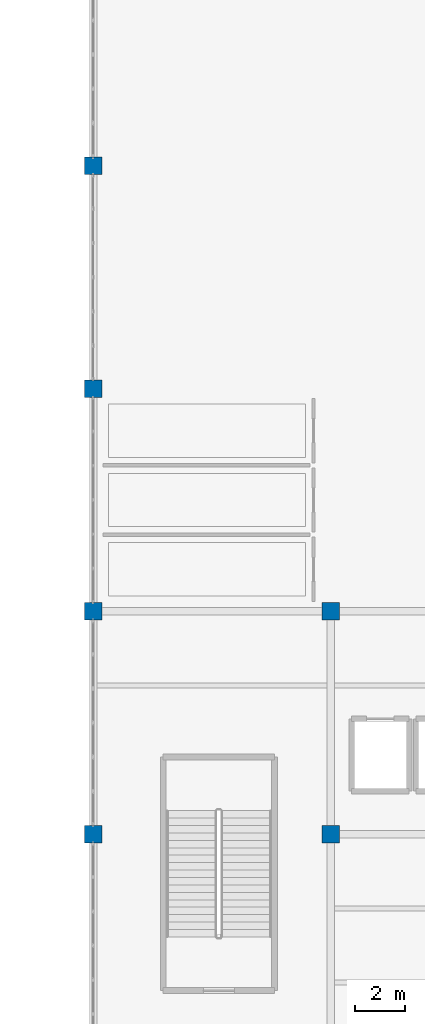
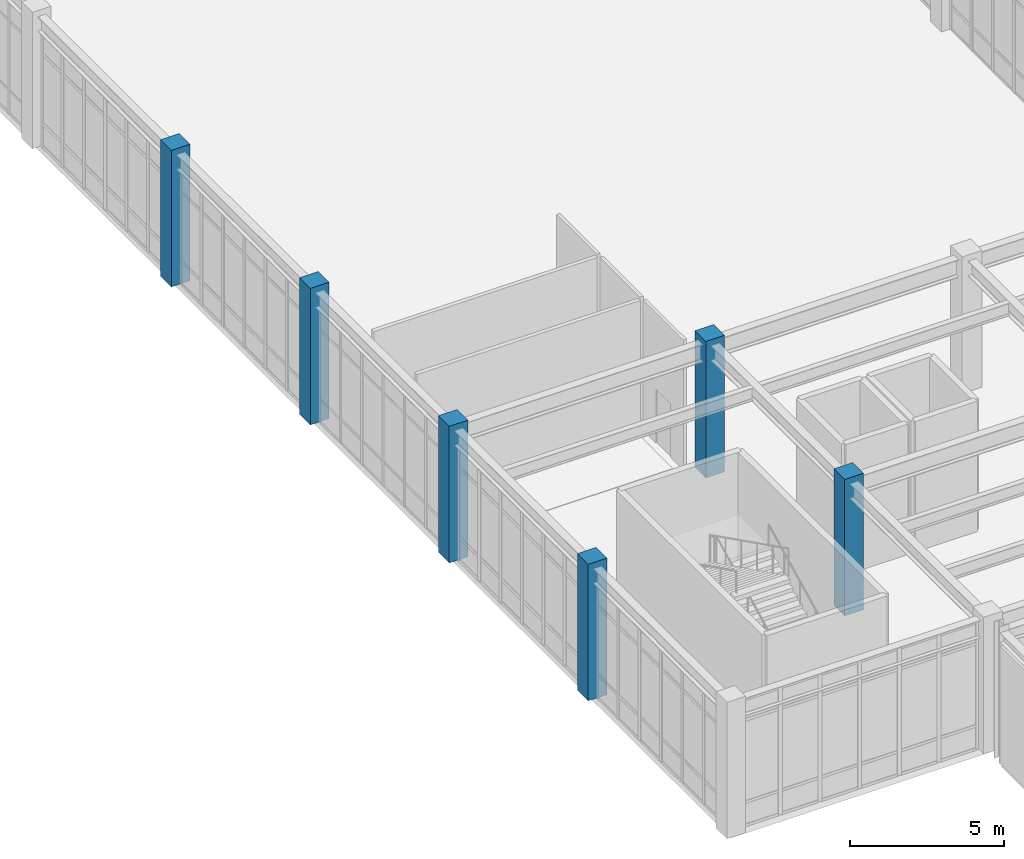
# One storey, part 2 of 80: 6 columns.
"""IFC4 building model written with IfcOpenShell, lengths in metres."""

from ifc_helpers import new_model, si_unit, direction, frame, origin, origin_2d, place, context, subcontext, project, spatial, rectangle, extrude, material, material_profile, profile_set, type_object, element, save


model = new_model("IFC4")

# Units and contexts
model_context = context("Model", 3, precision=1e-05, world=origin(), true_north=direction((0.0, 1.0)))
body_context = subcontext(model_context, "Body", "Model", "MODEL_VIEW")
ifc_project = project(units=[si_unit("LENGTHUNIT", "METRE"), si_unit("AREAUNIT", "SQUARE_METRE"), si_unit("VOLUMEUNIT", "CUBIC_METRE"), si_unit("PLANEANGLEUNIT", "RADIAN"), si_unit("MASSUNIT", "GRAM", prefix="KILO")], contexts=[model_context])

# Site, building, storey
site_placement = place(None, origin())
site = spatial("IfcSite", under=ifc_project, at=site_placement, CompositionType="ELEMENT")
building_placement = place(site_placement, origin())
building = spatial("IfcBuilding", under=site, at=building_placement, Name="Canglan Escarpment Cableway Terminal", CompositionType="ELEMENT")
storey_placement = place(building_placement, frame((0.0, 0.0, 19.199951171875)))
storey = spatial("IfcBuildingStorey", under=building, at=storey_placement, Name="L04", CompositionType="ELEMENT", Elevation=19.199951171875)

# Columns
ifc_material = material(Name="Concrete C40", Category="concrete")
ifc_material_profile = material_profile(ifc_material, rectangle(XDim=0.699951171875, YDim=0.699951171875, at=origin_2d()), Name="RC 700x700")
ifc_profile_set = profile_set([ifc_material_profile], Name="Concrete C40")
column_type = type_object("IfcColumnType", Name="COL-RC700-C40", PredefinedType="COLUMN", material=ifc_profile_set)
for number, where, z_axis, x_axis, name in (
    (1, (137.60009765625, 43.0, 0.0), (0.0, 0.0, 1.0), (1.0, 0.0, 0.0), "Structural column C-04"),
    (2, (137.60009765625, 52.0, 0.0), (0.0, 0.0, 1.0), (1.0, 0.0, 0.0), "Structural column C-04"),
    (3, (137.60009765625, 61.0, 0.0), (0.0, 0.0, 1.0), (1.0, 0.0, 0.0), "Structural column C-04"),
    (4, (137.60009765625, 70.0, 0.0), (0.0, 0.0, 1.0), (1.0, 0.0, 0.0), "Structural column C-04"),
    (5, (147.199951171875, 43.0, 0.0), (0.0, 0.0, 1.0), (1.0, 0.0, 0.0), "Structural column C-04"),
    (6, (147.199951171875, 52.0, 0.0), (0.0, 0.0, 1.0), (1.0, 0.0, 0.0), "Structural column C-04"),
):
    element("IfcColumn", number, at=place(storey_placement, frame(where, z_axis=z_axis, x_axis=x_axis)), inside=storey, type_object=column_type, Name=name, PredefinedType="COLUMN", context=body_context, shape_type="SweptSolid", body=[
        extrude(rectangle(XDim=0.699951171875, YDim=0.699951171875, at=origin_2d()), origin(), (0.0, 0.0, 1.0), 5.400146484375),
    ])

save(model, "model.ifc")
